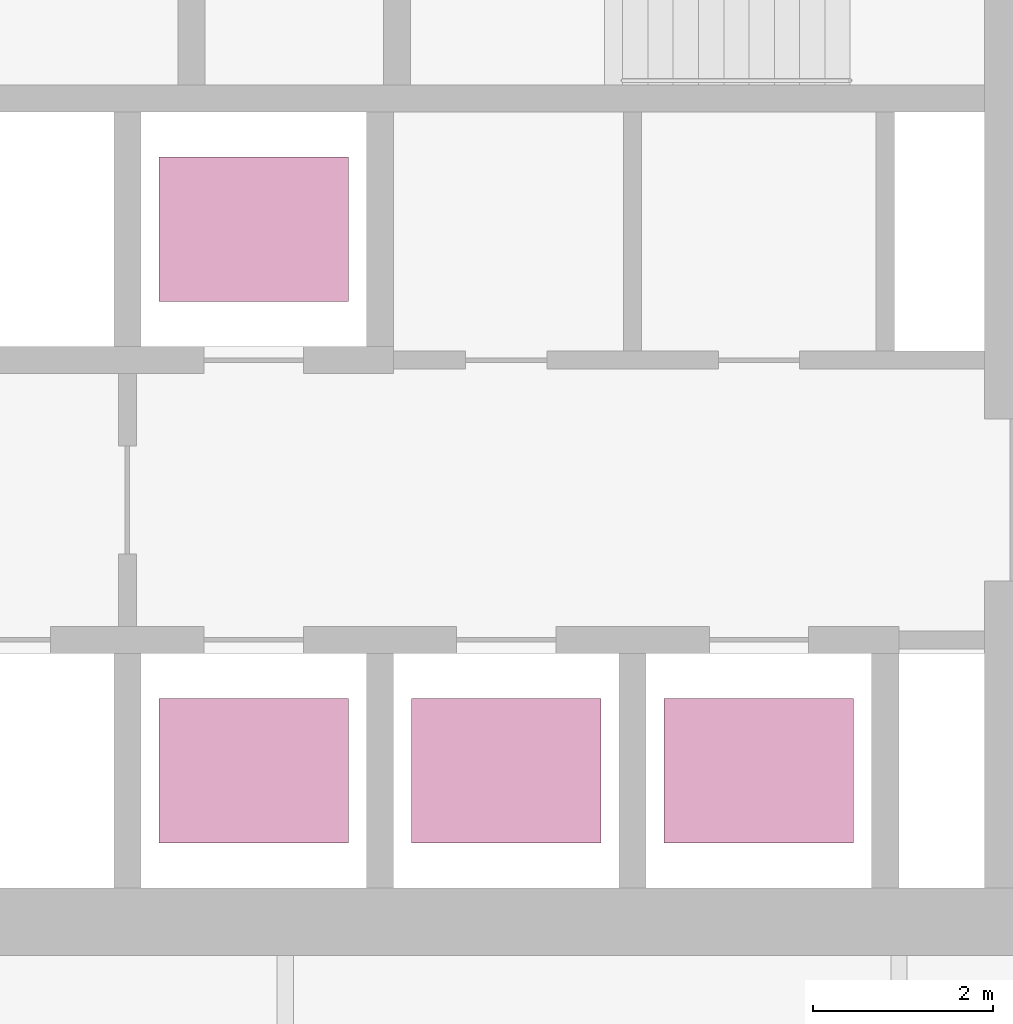
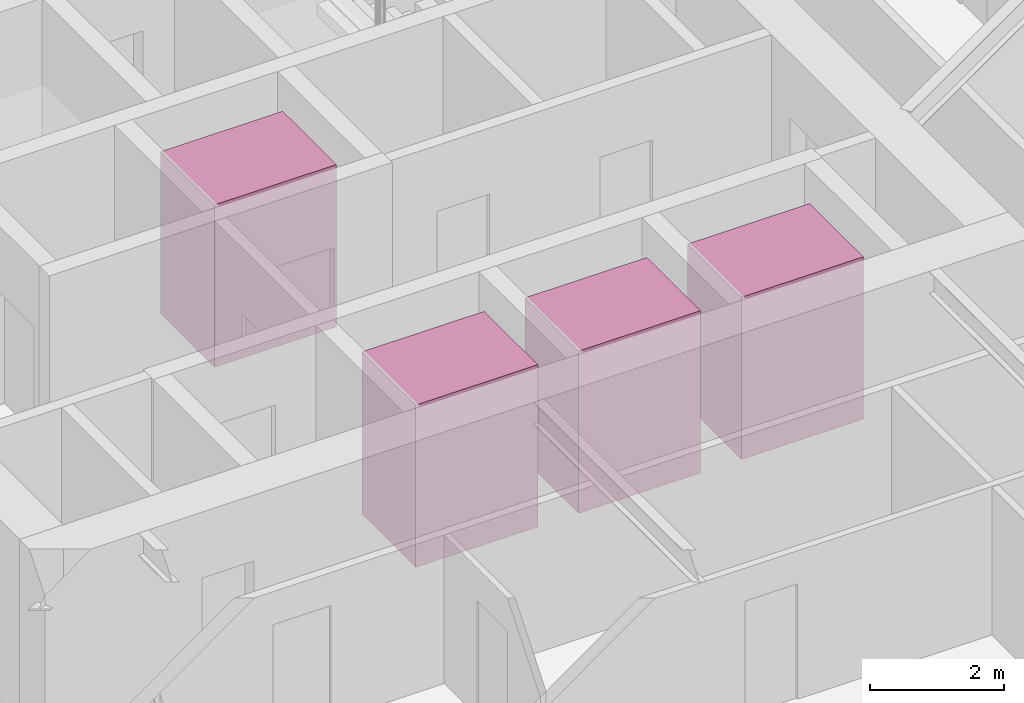
# One storey, part 24 of 24: 4 transport elements.
"""IFC4 building model written with IfcOpenShell, lengths in metres."""

import ifcopenshell
import ifcopenshell.guid

model = None  # the IFC model being written
_history = None  # IfcOwnerHistory: only IFC2X3 demands one
_inside = {}  # id of a spatial element -> (the spatial element, [elements in it])
_under = {}  # id of a project, library or spatial element -> (it, [spatial elements below it])
_declared = {}  # id of a project -> (the project, [libraries it declares])
_typed = {}  # id of a type object -> (the type object, [elements of that type])
_made_of = {}  # id of a material, layer set ... -> (it, [elements and type objects made of it])


def new_model(schema):
    """Start an empty IFC model of exactly this schema.

    Asked for "IFC4X3", IfcOpenShell would pick the latest addendum, in which some entities
    have other attributes; the version numbers below select the first issue.
    IFC2X3 requires an IfcOwnerHistory on every rooted entity: one is made here for all.
    """
    global model, _history
    if schema == "IFC4X3":
        model = ifcopenshell.file(schema_version=(4, 3, 0, 0))
    else:
        model = ifcopenshell.file(schema=schema)
    _inside.clear()
    _under.clear()
    _declared.clear()
    _typed.clear()
    _made_of.clear()
    _history = None
    if model.schema == "IFC2X3":
        org = make("IfcOrganization", Name="unknown")
        user = make(
            "IfcPersonAndOrganization",
            ThePerson=make("IfcPerson", FamilyName="unknown"),
            TheOrganization=org,
        )
        app = make(
            "IfcApplication",
            ApplicationDeveloper=org,
            Version="unknown",
            ApplicationFullName="unknown",
            ApplicationIdentifier="unknown",
        )
        _history = make(
            "IfcOwnerHistory",
            OwningUser=user,
            OwningApplication=app,
            ChangeAction="ADDED",
            CreationDate=0,
        )
    return model


def make(cls, **values):
    """One entity of the class cls with the attributes given. An attribute that is None is left unset."""
    return model.create_entity(
        cls, **{name: value for name, value in values.items() if value is not None}
    )


def rooted(cls, **values):
    """An entity with a GlobalId (a new one), such as an element, a storey or a relation."""
    return make(cls, GlobalId=ifcopenshell.guid.new(), OwnerHistory=_history, **values)


def si_unit(unit_type, name, prefix=None):
    """IfcSIUnit, for example si_unit("LENGTHUNIT", "METRE", prefix="MILLI")."""
    return make("IfcSIUnit", UnitType=unit_type, Prefix=prefix, Name=name)


def assignment(units):
    """IfcUnitAssignment: the units of a project."""
    return None if units is None else make("IfcUnitAssignment", Units=units)


def point(xyz):
    """IfcCartesianPoint."""
    return None if xyz is None else make("IfcCartesianPoint", Coordinates=xyz)


def direction(xyz):
    """IfcDirection."""
    return None if xyz is None else make("IfcDirection", DirectionRatios=xyz)


def frame(location, z_axis=None, x_axis=None):
    """IfcAxis2Placement3D, a coordinate frame: its origin and axes. An axis left out is left unset."""
    return make(
        "IfcAxis2Placement3D",
        Location=point(location),
        Axis=direction(z_axis),
        RefDirection=direction(x_axis),
    )


def frame_2d(location, x_axis=None):
    """IfcAxis2Placement2D, a coordinate frame in the plane: its origin and x axis."""
    return make(
        "IfcAxis2Placement2D", Location=point(location), RefDirection=direction(x_axis)
    )


def origin():
    """The frame at (0, 0, 0) with its axes left unset."""
    return frame((0.0, 0.0, 0.0))


def origin_2d():
    """The frame at (0, 0) in the plane with its x axis left unset."""
    return frame_2d((0.0, 0.0))


def place(relative_to, where):
    """IfcLocalPlacement: puts the frame where relative to a parent placement (None: the world)."""
    return make(
        "IfcLocalPlacement", PlacementRelTo=relative_to, RelativePlacement=where
    )


def context(
    kind, dimensions, precision=None, world=None, true_north=None, identifier=None
):
    """IfcGeometricRepresentationContext, for example the 3D "Model" context."""
    return make(
        "IfcGeometricRepresentationContext",
        ContextIdentifier=identifier,
        ContextType=kind,
        CoordinateSpaceDimension=dimensions,
        Precision=precision,
        WorldCoordinateSystem=world,
        TrueNorth=true_north,
    )


def subcontext(parent, identifier, kind, view, scale=None):
    """IfcGeometricRepresentationSubContext, for example "Body" below "Model"."""
    return make(
        "IfcGeometricRepresentationSubContext",
        ContextIdentifier=identifier,
        ContextType=kind,
        ParentContext=parent,
        TargetScale=scale,
        TargetView=view,
    )


def project(units=None, contexts=None):
    """IfcProject with its units and contexts."""
    return rooted(
        "IfcProject",
        Name="project",
        RepresentationContexts=contexts,
        UnitsInContext=assignment(units),
    )


def spatial(cls, under=None, at=None, **own):
    """A site, building, storey or space (cls), placed at a placement, below another one or the project."""
    s = rooted(cls, ObjectPlacement=at, **own)
    if under is not None:
        _under.setdefault(under.id(), (under, []))[1].append(s)
    return s


def profile(cls, at=None, kind="AREA", **sizes):
    """A parametric profile (cls). Its sizes go by their IFC names, for example OverallWidth=200.0."""
    return make(cls, ProfileType=kind, Position=at, **sizes)


def rectangle(**sizes):
    """IfcRectangleProfileDef."""
    return profile("IfcRectangleProfileDef", **sizes)


def extrude(swept, where, along, depth):
    """IfcExtrudedAreaSolid: the profile swept, set in the frame where, extruded along a direction by depth."""
    return make(
        "IfcExtrudedAreaSolid",
        SweptArea=swept,
        Position=where,
        ExtrudedDirection=direction(along),
        Depth=depth,
    )


def shape(context_of_items, identifier, shape_type, items):
    """IfcShapeRepresentation: the items that make up one representation, for example the "Body"."""
    return make(
        "IfcShapeRepresentation",
        ContextOfItems=context_of_items,
        RepresentationIdentifier=identifier,
        RepresentationType=shape_type,
        Items=items,
    )


def material(Name=None, Category=None):
    """IfcMaterial."""
    return make("IfcMaterial", Name=Name, Category=Category)


def made_of(thing, what):
    """Note that an element or type object is made of a material, layer set ...; save() writes the relation."""
    if what is not None:
        _made_of.setdefault(what.id(), (what, []))[1].append(thing)
    return thing


def type_object(cls, material=None, **own):
    """A type object (cls), such as IfcWallType, which elements share."""
    return made_of(rooted(cls, **own), material)


def element(
    cls,
    number,
    at=None,
    inside=None,
    cuts=None,
    type_object=None,
    material=None,
    context=None,
    identifier="Body",
    shape_type=None,
    held_by="IfcProductDefinitionShape",
    body=None,
    shapes=None,
    **own,
):
    """One element of the class cls, such as IfcWall. Its Tag is "e" and its number.

    at: its placement. inside: the storey or other place that contains it. cuts: it is an
    opening in that element (IfcRelVoidsElement). A single representation is given by context,
    identifier, shape_type and body (its items); several are given by shapes. held_by: the class
    of the entity that holds the representations. save() writes the other relations.
    """
    e = rooted(cls, Tag="e%d" % number, ObjectPlacement=at, **own)
    if body is not None:
        shapes = [shape(context, identifier, shape_type, body)]
    if shapes is not None:
        e.Representation = make(held_by, Representations=shapes)
    if inside is not None:
        _inside.setdefault(inside.id(), (inside, []))[1].append(e)
    if cuts is not None:
        rooted(
            "IfcRelVoidsElement", RelatingBuildingElement=cuts, RelatedOpeningElement=e
        )
    if type_object is not None:
        _typed.setdefault(type_object.id(), (type_object, []))[1].append(e)
    return made_of(e, material)


def aggregate(whole, parts):
    """IfcRelAggregates: a whole, such as a stair, and the parts it consists of."""
    return rooted("IfcRelAggregates", RelatingObject=whole, RelatedObjects=parts)


def save(model, path):
    """Write the relations noted so far, then the file.

    IfcRelAggregates (storeys below a building ...), IfcRelContainedInSpatialStructure (elements
    in a storey), IfcRelDefinesByType, IfcRelAssociatesMaterial and IfcRelDeclares: one each for
    every whole, place, type object, material and project.
    """
    for whole, parts in _under.values():
        aggregate(whole, parts)
    for where, things in _inside.values():
        rooted(
            "IfcRelContainedInSpatialStructure",
            RelatedElements=things,
            RelatingStructure=where,
        )
    for kind, things in _typed.values():
        rooted("IfcRelDefinesByType", RelatedObjects=things, RelatingType=kind)
    for what, things in _made_of.values():
        rooted("IfcRelAssociatesMaterial", RelatedObjects=things, RelatingMaterial=what)
    for by, libraries in _declared.values():
        rooted("IfcRelDeclares", RelatingContext=by, RelatedDefinitions=libraries)
    model.write(path)


model = new_model("IFC4")

# Units and contexts
model_context = context("Model", 3, precision=1e-05, world=origin(), true_north=direction((0.0, 1.0)))
body_context = subcontext(model_context, "Body", "Model", "MODEL_VIEW")
ifc_project = project(units=[si_unit("LENGTHUNIT", "METRE"), si_unit("AREAUNIT", "SQUARE_METRE"), si_unit("VOLUMEUNIT", "CUBIC_METRE"), si_unit("PLANEANGLEUNIT", "RADIAN"), si_unit("MASSUNIT", "GRAM", prefix="KILO")], contexts=[model_context])

# Site, building, storey
site_placement = place(None, origin())
site = spatial("IfcSite", under=ifc_project, at=site_placement, CompositionType="ELEMENT")
building_placement = place(site_placement, origin())
building = spatial("IfcBuilding", under=site, at=building_placement, Name="Firuza Gate Tower and Library", CompositionType="ELEMENT")
storey_placement = place(building_placement, frame((0.0, 0.0, 260.10009765625)))
storey = spatial("IfcBuildingStorey", under=building, at=storey_placement, Name="L61", CompositionType="ELEMENT", Elevation=260.10009765625)

# Transport elements
ifc_material = material(Name="Stainless steel and glass", Category="steel")
transport_element_type = type_object("IfcTransportElementType", Name="High-rise lift car 2100x1600", PredefinedType="ELEVATOR", material=ifc_material)
for number, where, z_axis, x_axis, name in (
    (1, (74.64990234375, 70.300048828125, 0.0), (0.0, 0.0, 1.0), (1.0, 0.0, 0.0), "High-rise lift HR1"),
    (2, (77.449951171875, 70.300048828125, 0.0), (0.0, 0.0, 1.0), (1.0, 0.0, 0.0), "High-rise lift HR2"),
    (3, (80.25, 70.300048828125, 0.0), (0.0, 0.0, 1.0), (1.0, 0.0, 0.0), "High-rise lift HR3"),
    (4, (74.64990234375, 76.300048828125, 0.0), (0.0, 0.0, 1.0), (1.0, 0.0, 0.0), "High-rise lift HR4"),
):
    element("IfcTransportElement", number, at=place(storey_placement, frame(where, z_axis=z_axis, x_axis=x_axis)), inside=storey, type_object=transport_element_type, Name=name, PredefinedType="ELEVATOR", context=body_context, shape_type="SweptSolid", body=[
        extrude(rectangle(XDim=2.10009765625, YDim=1.60009765625, at=origin_2d()), origin(), (0.0, 0.0, 1.0), 2.949951171875),
    ])

save(model, "model.ifc")
